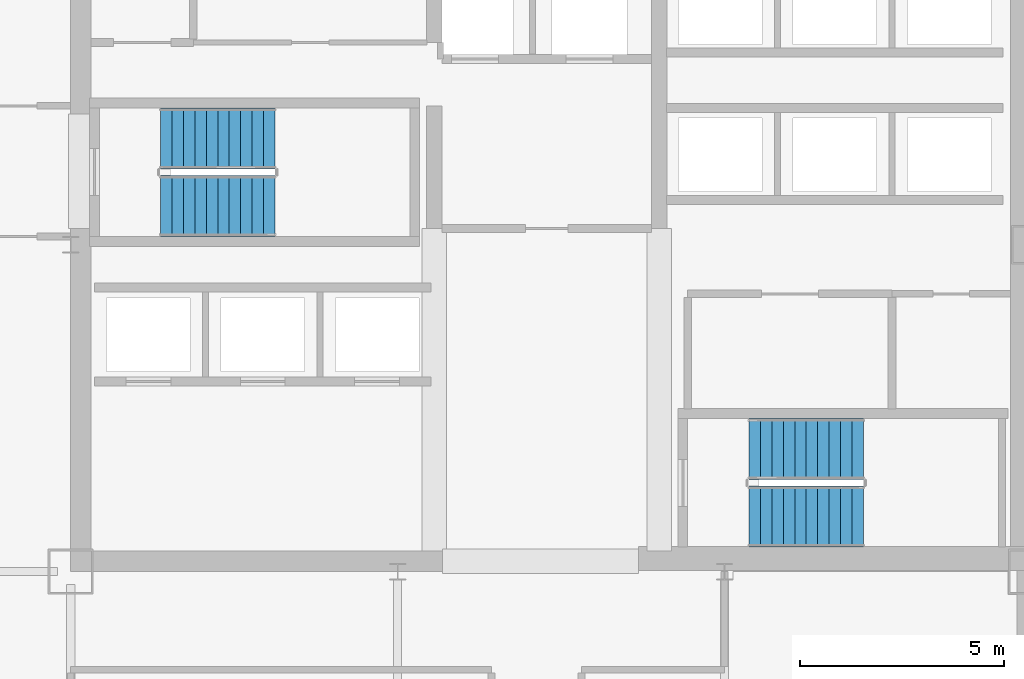
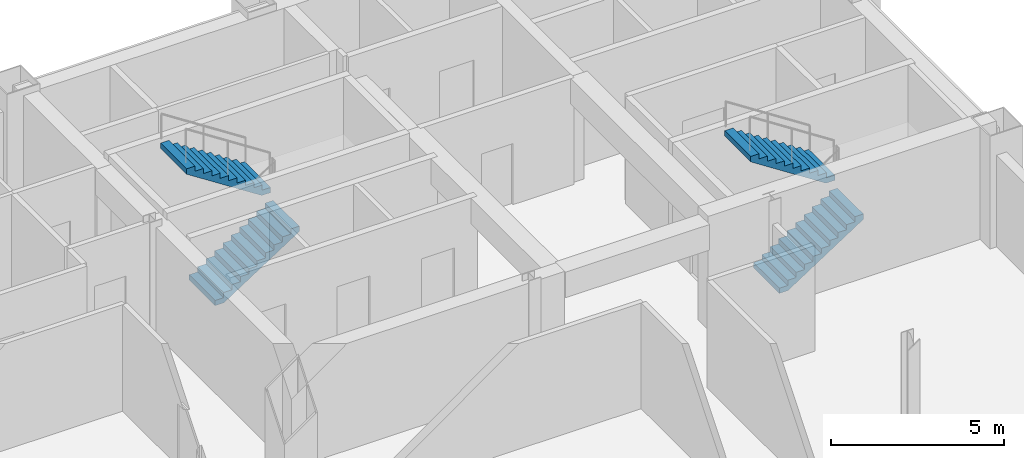
# One storey, part 8 of 10: 4 stair flights, 2 elements without a shape of their own.
"""IFC4 building model written with IfcOpenShell, lengths in metres."""

from ifc_helpers import new_model, si_unit, direction, frame, origin, place, context, subcontext, project, spatial, polyline, outline, extrude, material, type_object, element, aggregate, save


model = new_model("IFC4")

# Units and contexts
model_context = context("Model", 3, precision=1e-05, world=origin(), true_north=direction((0.0, 1.0)))
body_context = subcontext(model_context, "Body", "Model", "MODEL_VIEW")
ifc_project = project(units=[si_unit("LENGTHUNIT", "METRE"), si_unit("AREAUNIT", "SQUARE_METRE"), si_unit("VOLUMEUNIT", "CUBIC_METRE"), si_unit("PLANEANGLEUNIT", "RADIAN"), si_unit("MASSUNIT", "GRAM", prefix="KILO")], contexts=[model_context])

# Site, building, storey
site_placement = place(None, origin())
site = spatial("IfcSite", under=ifc_project, at=site_placement, CompositionType="ELEMENT")
building_placement = place(site_placement, origin())
building = spatial("IfcBuilding", under=site, at=building_placement, Name="Qianrong Seaharbour Tower", CompositionType="ELEMENT")
storey_placement = place(building_placement, frame((0.0, 0.0, 131.0)))
storey = spatial("IfcBuildingStorey", under=building, at=storey_placement, Name="L31", CompositionType="ELEMENT", Elevation=131.0)

# Stair, stair flights
ifc_material = material(Name="Concrete C50/60", Category="concrete")
stair_type = type_object("IfcStairType", Name="STAIR-DOGLEG-1500-R22", PredefinedType="HALF_TURN_STAIR", material=ifc_material)
stair_1_placement = place(storey_placement, origin())
stair_1 = element("IfcStair", 1, at=stair_1_placement, inside=storey, type_object=stair_type, Name="L31 Protected Escape Stair ST-1", PredefinedType="HALF_TURN_STAIR")
stair_flight_type = type_object("IfcStairFlightType", Name="FLIGHT-STR-1500-R22", PredefinedType="STRAIGHT", material=ifc_material)
stair_flight_1_placement = place(storey_placement, frame((42.699951171875, 44.949951171875, 0.0), z_axis=(0.0, 0.0, 1.0), x_axis=(1.0, 0.0, 0.0)))
stair_flight_1 = element("IfcStairFlight", 2, at=stair_flight_1_placement, type_object=stair_flight_type, Name="ST-1 flight 1", NumberOfRisers=11, NumberOfTreads=10, PredefinedType="STRAIGHT", RiserHeight=0.181818182, TreadLength=0.28, context=body_context, shape_type="SweptSolid", body=[
    extrude(outline(polyline([(0.0, 0.0), (0.0, 0.181884765625), (0.280029296875, 0.181884765625), (0.280029296875, 0.363525390625), (0.56005859375, 0.363525390625), (0.56005859375, 0.54541015625), (0.840087890625, 0.54541015625), (0.840087890625, 0.727294921875), (1.1201171875, 0.727294921875), (1.1201171875, 0.9091796875), (1.39990234375, 0.9091796875), (1.39990234375, 1.0908203125), (1.679931640625, 1.0908203125), (1.679931640625, 1.272705078125), (1.9599609375, 1.272705078125), (1.9599609375, 1.45458984375), (2.239990234375, 1.45458984375), (2.239990234375, 1.636474609375), (2.52001953125, 1.636474609375), (2.52001953125, 1.818115234375), (2.800048828125, 1.818115234375), (2.800048828125, 2.0), (2.800048828125, 1.62744140625), (0.293701171875, 0.0), (0.0, 0.0)])), frame((0.0, 0.75, 0.0), z_axis=(0.0, -1.0, 0.0), x_axis=(1.0, 0.0, 0.0)), (0.0, 0.0, 1.0), 1.5),
])
stair_flight_2_placement = place(storey_placement, frame((45.5, 46.60009765625, 2.0), z_axis=(0.0, 0.0, 1.0), x_axis=(-1.0, 0.0, 0.0)))
stair_flight_2 = element("IfcStairFlight", 3, at=stair_flight_2_placement, type_object=stair_flight_type, Name="ST-1 flight 2", NumberOfRisers=11, NumberOfTreads=10, PredefinedType="STRAIGHT", RiserHeight=0.181818182, TreadLength=0.28, context=body_context, shape_type="SweptSolid", body=[
    extrude(outline(polyline([(0.0, 0.0), (0.0, 0.181884765625), (0.280029296875, 0.181884765625), (0.280029296875, 0.363525390625), (0.56005859375, 0.363525390625), (0.56005859375, 0.54541015625), (0.840087890625, 0.54541015625), (0.840087890625, 0.727294921875), (1.1201171875, 0.727294921875), (1.1201171875, 0.9091796875), (1.39990234375, 0.9091796875), (1.39990234375, 1.0908203125), (1.679931640625, 1.0908203125), (1.679931640625, 1.272705078125), (1.9599609375, 1.272705078125), (1.9599609375, 1.45458984375), (2.239990234375, 1.45458984375), (2.239990234375, 1.636474609375), (2.52001953125, 1.636474609375), (2.52001953125, 1.818115234375), (2.800048828125, 1.818115234375), (2.800048828125, 2.0), (2.800048828125, 1.62744140625), (0.293701171875, 0.0), (0.0, 0.0)])), frame((0.0, 0.75, 0.0), z_axis=(0.0, -1.0, 0.0), x_axis=(1.0, 0.0, 0.0)), (0.0, 0.0, 1.0), 1.5),
])
aggregate(stair_1, [stair_flight_1, stair_flight_2])

stair_2_placement = place(storey_placement, origin())
stair_2 = element("IfcStair", 4, at=stair_2_placement, inside=storey, type_object=stair_type, Name="L31 Protected Escape Stair ST-2", PredefinedType="HALF_TURN_STAIR")
stair_flight_3_placement = place(storey_placement, frame((57.10009765625, 37.35009765625, 0.0), z_axis=(0.0, 0.0, 1.0), x_axis=(1.0, 0.0, 0.0)))
stair_flight_3 = element("IfcStairFlight", 5, at=stair_flight_3_placement, type_object=stair_flight_type, Name="ST-2 flight 1", NumberOfRisers=11, NumberOfTreads=10, PredefinedType="STRAIGHT", RiserHeight=0.181818182, TreadLength=0.28, context=body_context, shape_type="SweptSolid", body=[
    extrude(outline(polyline([(0.0, 0.0), (0.0, 0.181884765625), (0.280029296875, 0.181884765625), (0.280029296875, 0.363525390625), (0.56005859375, 0.363525390625), (0.56005859375, 0.54541015625), (0.840087890625, 0.54541015625), (0.840087890625, 0.727294921875), (1.1201171875, 0.727294921875), (1.1201171875, 0.9091796875), (1.39990234375, 0.9091796875), (1.39990234375, 1.0908203125), (1.679931640625, 1.0908203125), (1.679931640625, 1.272705078125), (1.9599609375, 1.272705078125), (1.9599609375, 1.45458984375), (2.239990234375, 1.45458984375), (2.239990234375, 1.636474609375), (2.52001953125, 1.636474609375), (2.52001953125, 1.818115234375), (2.800048828125, 1.818115234375), (2.800048828125, 2.0), (2.800048828125, 1.62744140625), (0.293701171875, 0.0), (0.0, 0.0)])), frame((0.0, 0.75, 0.0), z_axis=(0.0, -1.0, 0.0), x_axis=(1.0, 0.0, 0.0)), (0.0, 0.0, 1.0), 1.5),
])
stair_flight_4_placement = place(storey_placement, frame((59.89990234375, 39.0, 2.0), z_axis=(0.0, 0.0, 1.0), x_axis=(-1.0, 0.0, 0.0)))
stair_flight_4 = element("IfcStairFlight", 6, at=stair_flight_4_placement, type_object=stair_flight_type, Name="ST-2 flight 2", NumberOfRisers=11, NumberOfTreads=10, PredefinedType="STRAIGHT", RiserHeight=0.181818182, TreadLength=0.28, context=body_context, shape_type="SweptSolid", body=[
    extrude(outline(polyline([(0.0, 0.0), (0.0, 0.181884765625), (0.280029296875, 0.181884765625), (0.280029296875, 0.363525390625), (0.56005859375, 0.363525390625), (0.56005859375, 0.54541015625), (0.840087890625, 0.54541015625), (0.840087890625, 0.727294921875), (1.1201171875, 0.727294921875), (1.1201171875, 0.9091796875), (1.39990234375, 0.9091796875), (1.39990234375, 1.0908203125), (1.679931640625, 1.0908203125), (1.679931640625, 1.272705078125), (1.9599609375, 1.272705078125), (1.9599609375, 1.45458984375), (2.239990234375, 1.45458984375), (2.239990234375, 1.636474609375), (2.52001953125, 1.636474609375), (2.52001953125, 1.818115234375), (2.800048828125, 1.818115234375), (2.800048828125, 2.0), (2.800048828125, 1.62744140625), (0.293701171875, 0.0), (0.0, 0.0)])), frame((0.0, 0.75, 0.0), z_axis=(0.0, -1.0, 0.0), x_axis=(1.0, 0.0, 0.0)), (0.0, 0.0, 1.0), 1.5),
])
aggregate(stair_2, [stair_flight_3, stair_flight_4])

save(model, "model.ifc")
